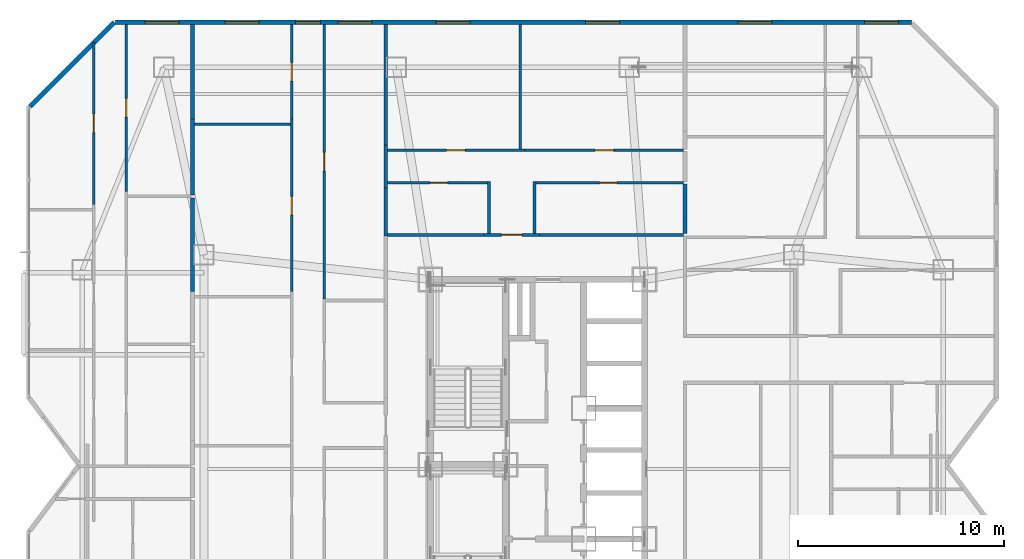
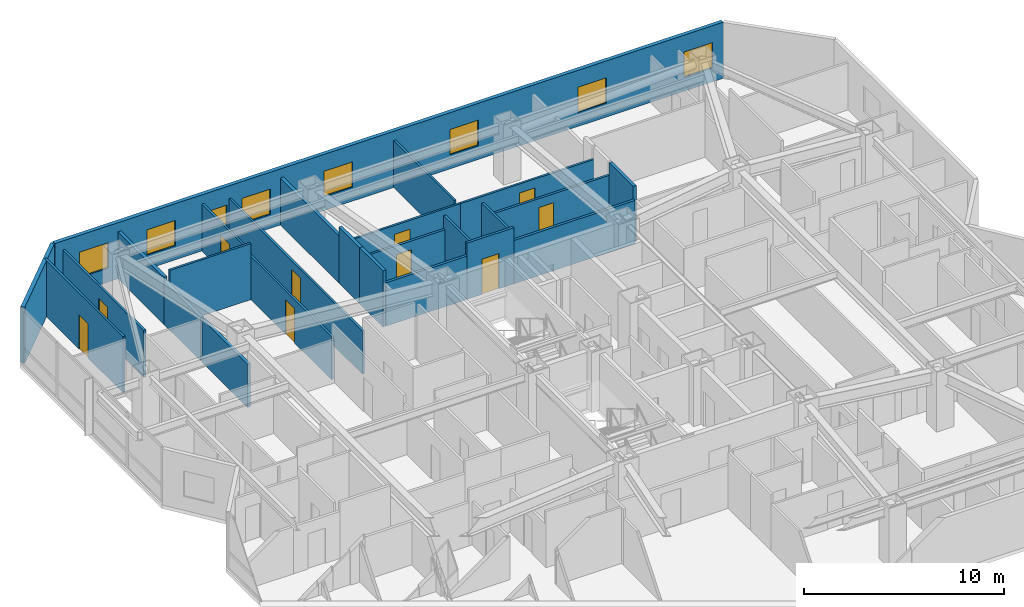
# One storey, part 19 of 21: 25 walls, 10 doors, 8 windows, 18 openings.
"""IFC4 building model written with IfcOpenShell, lengths in metres."""

from ifc_helpers import new_model, si_unit, direction, frame, frame_2d, origin, place, context, subcontext, project, spatial, rectangle, extrude, material, layer, layer_set, type_object, element, fill, save


model = new_model("IFC4")

# Units and contexts
model_context = context("Model", 3, precision=1e-05, world=origin(), true_north=direction((0.0, 1.0)))
body_context = subcontext(model_context, "Body", "Model", "MODEL_VIEW")
ifc_project = project(units=[si_unit("LENGTHUNIT", "METRE"), si_unit("AREAUNIT", "SQUARE_METRE"), si_unit("VOLUMEUNIT", "CUBIC_METRE"), si_unit("PLANEANGLEUNIT", "RADIAN"), si_unit("MASSUNIT", "GRAM", prefix="KILO")], contexts=[model_context])

# Site, building, storey
site_placement = place(None, origin())
site = spatial("IfcSite", under=ifc_project, at=site_placement, CompositionType="ELEMENT")
building_placement = place(site_placement, origin())
building = spatial("IfcBuilding", under=site, at=building_placement, Name="Khamvora Tower", CompositionType="ELEMENT")
storey_placement = place(building_placement, frame((0.0, 0.0, 98.25)))
storey = spatial("IfcBuildingStorey", under=building, at=storey_placement, Name="L24", CompositionType="ELEMENT", Elevation=98.25)

# Wall, opening, door
ifc_material_1 = material(Name="Fire-Rated Drywall and Steel Stud", Category="steel")
ifc_layer_1 = layer(ifc_material_1, 0.14990234375)
ifc_layer_set_1 = layer_set([ifc_layer_1], Name="Fire-Rated Drywall and Steel Stud")
wall_type_1 = type_object("IfcWallType", Name="WAL-CORR-150", PredefinedType="STANDARD", material=ifc_layer_set_1)
wall_1_placement = place(storey_placement, frame((31.60107421875, 39.1650390625, 0.0), z_axis=(0.0, 0.0, 1.0), x_axis=(1.0, 0.0, 0.0)))
wall_1 = element("IfcWall", 1, at=wall_1_placement, inside=storey, type_object=wall_type_1, Name="L24 interior partition wall 028", PredefinedType="STANDARD", context=body_context, shape_type="SweptSolid", body=[
    extrude(rectangle(XDim=2.697998046875, YDim=0.14990234375, at=frame_2d((1.34912109375, 0.0))), origin(), (0.0, 0.0, 1.0), 3.429931640625),
])
opening_1_placement = place(wall_1_placement, frame((0.84912109375, 0.0, 0.0)))
opening_1 = element("IfcOpeningElement", 2, at=opening_1_placement, cuts=wall_1, Name="Opening D-U1", PredefinedType="OPENING", context=body_context, shape_type="SweptSolid", body=[
    extrude(rectangle(XDim=1.0, YDim=2.14990234375, at=frame_2d((0.5, 1.074951171875))), frame((0.0, 0.0849609375, 0.0), z_axis=(0.0, -1.0, 0.0), x_axis=(1.0, 0.0, 0.0)), (0.0, 0.0, 1.0), 0.169921875),
])
ifc_material_2 = material(Name="Powder-Coated Steel and Hardwood Leaf", Category="steel")
door_type_1 = type_object("IfcDoorType", Name="DOR-UNIT-1000", OperationType="NOTDEFINED", PredefinedType="DOOR", material=ifc_material_2)
door_1_placement = place(opening_1_placement, origin())
door_1 = element("IfcDoor", 3, at=door_1_placement, inside=storey, type_object=door_type_1, Name="L24 interior door COR-24NAH", OperationType="SINGLE_SWING_LEFT", OverallHeight=2.14990234375, OverallWidth=1.0, PredefinedType="DOOR", context=body_context, shape_type="SweptSolid", body=[
    extrude(rectangle(XDim=1.0, YDim=2.14990234375, at=frame_2d((0.5, 1.074951171875))), frame((0.0, 0.02490234375, 0.0), z_axis=(0.0, -1.0, 0.0), x_axis=(1.0, 0.0, 0.0)), (0.0, 0.0, 1.0), 0.050048828125),
])
fill(opening_1, door_1)

# Walls
wall_2_placement = place(storey_placement, frame((26.89990234375, 39.1650390625, 0.0), z_axis=(0.0, 0.0, 1.0), x_axis=(1.0, 0.0, 0.0)))
element("IfcWall", 4, at=wall_2_placement, inside=storey, type_object=wall_type_1, Name="L24 interior partition wall 029", PredefinedType="STANDARD", context=body_context, shape_type="SweptSolid", body=[
    extrude(rectangle(XDim=4.701171875, YDim=0.14990234375, at=frame_2d((2.3505859375, 0.0))), origin(), (0.0, 0.0, 1.0), 2.64697265625),
])
wall_3_placement = place(storey_placement, frame((34.299072265625, 39.1650390625, 0.0), z_axis=(0.0, 0.0, 1.0), x_axis=(1.0, 0.0, 0.0)))
element("IfcWall", 5, at=wall_3_placement, inside=storey, type_object=wall_type_1, Name="L24 interior partition wall 030", PredefinedType="STANDARD", context=body_context, shape_type="SweptSolid", body=[
    extrude(rectangle(XDim=7.0009765625, YDim=0.14990234375, at=frame_2d((3.50048828125, 0.0))), origin(), (0.0, 0.0, 1.0), 2.64697265625),
])
ifc_material_3 = material(Name="Acoustic Double-Stud Fire Wall", Category="gypsum")
ifc_layer_2 = layer(ifc_material_3, 0.179931640625)
ifc_layer_set_2 = layer_set([ifc_layer_2], Name="Acoustic Double-Stud Fire Wall")
wall_type_2 = type_object("IfcWallType", Name="WAL-CORR-180", PredefinedType="STANDARD", material=ifc_layer_set_2)
wall_4_placement = place(storey_placement, frame((17.449951171875, 40.966064453125, 0.0), z_axis=(0.0, 0.0, 1.0), x_axis=(0.0, -1.0, 0.0)))
element("IfcWall", 6, at=wall_4_placement, inside=storey, type_object=wall_type_2, Name="L24 interior partition wall 090", PredefinedType="STANDARD", context=body_context, shape_type="SweptSolid", body=[
    extrude(rectangle(XDim=4.55712890625, YDim=0.179931640625, at=frame_2d((2.278564453125, 0.0))), origin(), (0.0, 0.0, 1.0), 2.64697265625),
])
wall_5_placement = place(storey_placement, frame((17.449951171875, 44.783935546875, 0.0), z_axis=(0.0, 0.0, 1.0), x_axis=(0.0, -1.0, 0.0)))
element("IfcWall", 7, at=wall_5_placement, inside=storey, type_object=wall_type_2, Name="L24 interior partition wall 091", PredefinedType="STANDARD", context=body_context, shape_type="SweptSolid", body=[
    extrude(rectangle(XDim=3.68798828125, YDim=0.179931640625, at=frame_2d((1.843994140625, 0.0))), origin(), (0.0, 0.0, 1.0), 2.64697265625),
])
wall_6_placement = place(storey_placement, frame((17.449951171875, 49.387939453125, 0.0), z_axis=(0.0, 0.0, 1.0), x_axis=(0.0, -1.0, 0.0)))
element("IfcWall", 8, at=wall_6_placement, inside=storey, type_object=wall_type_2, Name="L24 interior partition wall 092", PredefinedType="STANDARD", context=body_context, shape_type="SweptSolid", body=[
    extrude(rectangle(XDim=4.60400390625, YDim=0.179931640625, at=frame_2d((2.302001953125, 0.0))), origin(), (0.0, 0.0, 1.0), 2.8759765625),
])
wall_7_placement = place(storey_placement, frame((26.8349609375, 43.52392578125, 0.0), z_axis=(0.0, 0.0, 1.0), x_axis=(0.0, -1.0, 0.0)))
element("IfcWall", 9, at=wall_7_placement, inside=storey, type_object=wall_type_2, Name="L24 interior partition wall 095", PredefinedType="STANDARD", context=body_context, shape_type="SweptSolid", body=[
    extrude(rectangle(XDim=2.077880859375, YDim=0.179931640625, at=frame_2d((1.0390625, 0.0))), origin(), (0.0, 0.0, 1.0), 3.429931640625),
])
wall_8_placement = place(storey_placement, frame((26.8349609375, 41.446044921875, 0.0), z_axis=(0.0, 0.0, 1.0), x_axis=(0.0, -1.0, 0.0)))
element("IfcWall", 10, at=wall_8_placement, inside=storey, type_object=wall_type_2, Name="L24 interior partition wall 096", PredefinedType="STANDARD", context=body_context, shape_type="SweptSolid", body=[
    extrude(rectangle(XDim=2.345947265625, YDim=0.179931640625, at=frame_2d((1.1728515625, 0.0))), origin(), (0.0, 0.0, 1.0), 3.429931640625),
])
wall_9_placement = place(storey_placement, frame((26.8349609375, 49.387939453125, 0.0), z_axis=(0.0, 0.0, 1.0), x_axis=(0.0, -1.0, 0.0)))
element("IfcWall", 11, at=wall_9_placement, inside=storey, type_object=wall_type_2, Name="L24 interior partition wall 097", PredefinedType="STANDARD", context=body_context, shape_type="SweptSolid", body=[
    extrude(rectangle(XDim=5.864013671875, YDim=0.179931640625, at=frame_2d((2.93212890625, 0.0))), origin(), (0.0, 0.0, 1.0), 2.8759765625),
])
wall_10_placement = place(storey_placement, frame((41.364990234375, 41.6298828125, 0.0), z_axis=(0.0, 0.0, 1.0), x_axis=(0.0, -1.0, 0.0)))
element("IfcWall", 12, at=wall_10_placement, inside=storey, type_object=wall_type_2, Name="L24 interior partition wall 125", PredefinedType="STANDARD", context=body_context, shape_type="SweptSolid", body=[
    extrude(rectangle(XDim=2.39990234375, YDim=0.179931640625, at=frame_2d((1.199951171875, 0.0))), origin(), (0.0, 0.0, 1.0), 3.429931640625),
])
ifc_material_4 = material(Name="Precast concrete C40/50", Category="concrete")
ifc_layer_3 = layer(ifc_material_4, 0.219970703125)
ifc_layer_set_3 = layer_set([ifc_layer_3], Name="Precast concrete C40/50")
wall_type_3 = type_object("IfcWallType", Name="WAL-EXT-220", PredefinedType="STANDARD", material=ifc_layer_set_3)
wall_11_placement = place(storey_placement, frame((9.55810546875, 45.402099609375, 0.0), z_axis=(0.0, 0.0, 1.0), x_axis=(0.707106781187, 0.707106781187, 0.0)))
element("IfcWall", 13, at=wall_11_placement, inside=storey, type_object=wall_type_3, Name="L24 exterior facade wall 06.1", PredefinedType="STANDARD", context=body_context, shape_type="SweptSolid", body=[
    extrude(rectangle(XDim=5.78125, YDim=0.219970703125, at=frame_2d((2.890625, 0.0))), origin(), (0.0, 0.0, 1.0), 3.429931640625),
])

# Wall, openings, windows
wall_12_placement = place(storey_placement, frame((13.715087890625, 49.489990234375, 0.0), z_axis=(0.0, 0.0, 1.0), x_axis=(1.0, 0.0, 0.0)))
wall_12 = element("IfcWall", 14, at=wall_12_placement, inside=storey, type_object=wall_type_3, Name="L24 exterior facade wall 07.1", PredefinedType="STANDARD", context=body_context, shape_type="SweptSolid", body=[
    extrude(rectangle(XDim=38.638916015625, YDim=0.219970703125, at=frame_2d((19.3193359375, 0.0))), origin(), (0.0, 0.0, 1.0), 3.429931640625),
])
opening_2_placement = place(wall_12_placement, frame((1.43505859375, 0.0, 0.85009765625)))
opening_2 = element("IfcOpeningElement", 15, at=opening_2_placement, cuts=wall_12, Name="Opening WN-06", PredefinedType="OPENING", context=body_context, shape_type="SweptSolid", body=[
    extrude(rectangle(XDim=1.64990234375, YDim=1.550048828125, at=frame_2d((0.824951171875, 0.77490234375))), frame((0.0, 0.119873046875, 0.0), z_axis=(0.0, -1.0, 0.0), x_axis=(1.0, 0.0, 0.0)), (0.0, 0.0, 1.0), 0.239990234375),
])
opening_3_placement = place(wall_12_placement, frame((10.802001953125, 0.0, 0.85009765625)))
opening_3 = element("IfcOpeningElement", 16, at=opening_3_placement, cuts=wall_12, Name="Opening WN-06", PredefinedType="OPENING", context=body_context, shape_type="SweptSolid", body=[
    extrude(rectangle(XDim=1.64990234375, YDim=1.550048828125, at=frame_2d((0.824951171875, 0.77490234375))), frame((0.0, 0.119873046875, 0.0), z_axis=(0.0, -1.0, 0.0), x_axis=(1.0, 0.0, 0.0)), (0.0, 0.0, 1.0), 0.239990234375),
])
opening_4_placement = place(wall_12_placement, frame((8.743896484375, 0.0, 0.800048828125)))
opening_4 = element("IfcOpeningElement", 17, at=opening_4_placement, cuts=wall_12, Name="Opening WN-03", PredefinedType="OPENING", context=body_context, shape_type="SweptSolid", body=[
    extrude(rectangle(XDim=1.199951171875, YDim=1.5, at=frame_2d((0.60009765625, 0.75))), frame((0.0, 0.119873046875, 0.0), z_axis=(0.0, -1.0, 0.0), x_axis=(1.0, 0.0, 0.0)), (0.0, 0.0, 1.0), 0.239990234375),
])
opening_5_placement = place(wall_12_placement, frame((5.319091796875, 0.0, 0.85009765625)))
opening_5 = element("IfcOpeningElement", 18, at=opening_5_placement, cuts=wall_12, Name="Opening WN-06", PredefinedType="OPENING", context=body_context, shape_type="SweptSolid", body=[
    extrude(rectangle(XDim=1.64990234375, YDim=1.550048828125, at=frame_2d((0.824951171875, 0.77490234375))), frame((0.0, 0.119873046875, 0.0), z_axis=(0.0, -1.0, 0.0), x_axis=(1.0, 0.0, 0.0)), (0.0, 0.0, 1.0), 0.239990234375),
])
opening_6_placement = place(wall_12_placement, frame((15.555908203125, 0.0, 0.85009765625)))
opening_6 = element("IfcOpeningElement", 19, at=opening_6_placement, cuts=wall_12, Name="Opening WN-06", PredefinedType="OPENING", context=body_context, shape_type="SweptSolid", body=[
    extrude(rectangle(XDim=1.64990234375, YDim=1.550048828125, at=frame_2d((0.824951171875, 0.77490234375))), frame((0.0, 0.119873046875, 0.0), z_axis=(0.0, -1.0, 0.0), x_axis=(1.0, 0.0, 0.0)), (0.0, 0.0, 1.0), 0.239990234375),
])
opening_7_placement = place(wall_12_placement, frame((22.821044921875, 0.0, 0.85009765625)))
opening_7 = element("IfcOpeningElement", 20, at=opening_7_placement, cuts=wall_12, Name="Opening WN-06", PredefinedType="OPENING", context=body_context, shape_type="SweptSolid", body=[
    extrude(rectangle(XDim=1.64990234375, YDim=1.550048828125, at=frame_2d((0.824951171875, 0.77490234375))), frame((0.0, 0.119873046875, 0.0), z_axis=(0.0, -1.0, 0.0), x_axis=(1.0, 0.0, 0.0)), (0.0, 0.0, 1.0), 0.239990234375),
])
opening_8_placement = place(wall_12_placement, frame((30.22998046875, 0.0, 0.85009765625)))
opening_8 = element("IfcOpeningElement", 21, at=opening_8_placement, cuts=wall_12, Name="Opening WN-06", PredefinedType="OPENING", context=body_context, shape_type="SweptSolid", body=[
    extrude(rectangle(XDim=1.64990234375, YDim=1.550048828125, at=frame_2d((0.824951171875, 0.77490234375))), frame((0.0, 0.119873046875, 0.0), z_axis=(0.0, -1.0, 0.0), x_axis=(1.0, 0.0, 0.0)), (0.0, 0.0, 1.0), 0.239990234375),
])
opening_9_placement = place(wall_12_placement, frame((36.366943359375, 0.0, 0.85009765625)))
opening_9 = element("IfcOpeningElement", 22, at=opening_9_placement, cuts=wall_12, Name="Opening WN-06", PredefinedType="OPENING", context=body_context, shape_type="SweptSolid", body=[
    extrude(rectangle(XDim=1.64990234375, YDim=1.550048828125, at=frame_2d((0.824951171875, 0.77490234375))), frame((0.0, 0.119873046875, 0.0), z_axis=(0.0, -1.0, 0.0), x_axis=(1.0, 0.0, 0.0)), (0.0, 0.0, 1.0), 0.239990234375),
])
ifc_material_5 = material(Name="Low-E Laminated Double Glazing", Category="glass")
window_type_1 = type_object("IfcWindowType", Name="WIN-VIS-1200x1500", PartitioningType="SINGLE_PANEL", PredefinedType="WINDOW", material=ifc_material_5)
window_1_placement = place(opening_4_placement, origin())
window_1 = element("IfcWindow", 23, at=window_1_placement, inside=storey, type_object=window_type_1, Name="L24 vision window 07.1.03", OverallHeight=1.5, OverallWidth=1.199951171875, PartitioningType="SINGLE_PANEL", PredefinedType="WINDOW", context=body_context, shape_type="SweptSolid", body=[
    extrude(rectangle(XDim=1.199951171875, YDim=1.5, at=frame_2d((0.60009765625, 0.75))), frame((0.0, 0.030029296875, 0.0), z_axis=(0.0, -1.0, 0.0), x_axis=(1.0, 0.0, 0.0)), (0.0, 0.0, 1.0), 0.06005859375),
])
fill(opening_4, window_1)
window_type_2 = type_object("IfcWindowType", Name="WIN-VIS-1650x1550", PartitioningType="SINGLE_PANEL", PredefinedType="WINDOW", material=ifc_material_5)
window_2_placement = place(opening_2_placement, origin())
window_2 = element("IfcWindow", 24, at=window_2_placement, inside=storey, type_object=window_type_2, Name="L24 vision window 07.1.01", OverallHeight=1.550048828125, OverallWidth=1.64990234375, PartitioningType="SINGLE_PANEL", PredefinedType="WINDOW", context=body_context, shape_type="SweptSolid", body=[
    extrude(rectangle(XDim=1.64990234375, YDim=1.550048828125, at=frame_2d((0.824951171875, 0.77490234375))), frame((0.0, 0.030029296875, 0.0), z_axis=(0.0, -1.0, 0.0), x_axis=(1.0, 0.0, 0.0)), (0.0, 0.0, 1.0), 0.06005859375),
])
fill(opening_2, window_2)
window_3_placement = place(opening_3_placement, origin())
window_3 = element("IfcWindow", 25, at=window_3_placement, inside=storey, type_object=window_type_2, Name="L24 vision window 07.1.02", OverallHeight=1.550048828125, OverallWidth=1.64990234375, PartitioningType="SINGLE_PANEL", PredefinedType="WINDOW", context=body_context, shape_type="SweptSolid", body=[
    extrude(rectangle(XDim=1.64990234375, YDim=1.550048828125, at=frame_2d((0.824951171875, 0.77490234375))), frame((0.0, 0.030029296875, 0.0), z_axis=(0.0, -1.0, 0.0), x_axis=(1.0, 0.0, 0.0)), (0.0, 0.0, 1.0), 0.06005859375),
])
fill(opening_3, window_3)
window_4_placement = place(opening_5_placement, origin())
window_4 = element("IfcWindow", 26, at=window_4_placement, inside=storey, type_object=window_type_2, Name="L24 vision window 07.1.04", OverallHeight=1.550048828125, OverallWidth=1.64990234375, PartitioningType="SINGLE_PANEL", PredefinedType="WINDOW", context=body_context, shape_type="SweptSolid", body=[
    extrude(rectangle(XDim=1.64990234375, YDim=1.550048828125, at=frame_2d((0.824951171875, 0.77490234375))), frame((0.0, 0.030029296875, 0.0), z_axis=(0.0, -1.0, 0.0), x_axis=(1.0, 0.0, 0.0)), (0.0, 0.0, 1.0), 0.06005859375),
])
fill(opening_5, window_4)
window_5_placement = place(opening_6_placement, origin())
window_5 = element("IfcWindow", 27, at=window_5_placement, inside=storey, type_object=window_type_2, Name="L24 vision window 07.1.05", OverallHeight=1.550048828125, OverallWidth=1.64990234375, PartitioningType="SINGLE_PANEL", PredefinedType="WINDOW", context=body_context, shape_type="SweptSolid", body=[
    extrude(rectangle(XDim=1.64990234375, YDim=1.550048828125, at=frame_2d((0.824951171875, 0.77490234375))), frame((0.0, 0.030029296875, 0.0), z_axis=(0.0, -1.0, 0.0), x_axis=(1.0, 0.0, 0.0)), (0.0, 0.0, 1.0), 0.06005859375),
])
fill(opening_6, window_5)
window_6_placement = place(opening_7_placement, origin())
window_6 = element("IfcWindow", 28, at=window_6_placement, inside=storey, type_object=window_type_2, Name="L24 vision window 07.1.06", OverallHeight=1.550048828125, OverallWidth=1.64990234375, PartitioningType="SINGLE_PANEL", PredefinedType="WINDOW", context=body_context, shape_type="SweptSolid", body=[
    extrude(rectangle(XDim=1.64990234375, YDim=1.550048828125, at=frame_2d((0.824951171875, 0.77490234375))), frame((0.0, 0.030029296875, 0.0), z_axis=(0.0, -1.0, 0.0), x_axis=(1.0, 0.0, 0.0)), (0.0, 0.0, 1.0), 0.06005859375),
])
fill(opening_7, window_6)
window_7_placement = place(opening_8_placement, origin())
window_7 = element("IfcWindow", 29, at=window_7_placement, inside=storey, type_object=window_type_2, Name="L24 vision window 07.1.07", OverallHeight=1.550048828125, OverallWidth=1.64990234375, PartitioningType="SINGLE_PANEL", PredefinedType="WINDOW", context=body_context, shape_type="SweptSolid", body=[
    extrude(rectangle(XDim=1.64990234375, YDim=1.550048828125, at=frame_2d((0.824951171875, 0.77490234375))), frame((0.0, 0.030029296875, 0.0), z_axis=(0.0, -1.0, 0.0), x_axis=(1.0, 0.0, 0.0)), (0.0, 0.0, 1.0), 0.06005859375),
])
fill(opening_8, window_7)
window_8_placement = place(opening_9_placement, origin())
window_8 = element("IfcWindow", 30, at=window_8_placement, inside=storey, type_object=window_type_2, Name="L24 vision window 07.1.08", OverallHeight=1.550048828125, OverallWidth=1.64990234375, PartitioningType="SINGLE_PANEL", PredefinedType="WINDOW", context=body_context, shape_type="SweptSolid", body=[
    extrude(rectangle(XDim=1.64990234375, YDim=1.550048828125, at=frame_2d((0.824951171875, 0.77490234375))), frame((0.0, 0.030029296875, 0.0), z_axis=(0.0, -1.0, 0.0), x_axis=(1.0, 0.0, 0.0)), (0.0, 0.0, 1.0), 0.06005859375),
])
fill(opening_9, window_8)

# Wall, opening, door
ifc_material_6 = material(Name="Gypsum Plasterboard Partition", Category="gypsum")
ifc_layer_4 = layer(ifc_material_6, 0.1201171875)
ifc_layer_set_4 = layer_set([ifc_layer_4], Name="Gypsum Plasterboard Partition")
wall_type_4 = type_object("IfcWallType", Name="WAL-PART-120", PredefinedType="PARTITIONING", material=ifc_layer_set_4)
wall_13_placement = place(storey_placement, frame((12.662109375, 40.64404296875, 0.0), z_axis=(0.0, 0.0, 1.0), x_axis=(0.0, 1.0, 0.0)))
wall_13 = element("IfcWall", 31, at=wall_13_placement, inside=storey, type_object=wall_type_4, Name="L24 interior partition wall 076", PredefinedType="PARTITIONING", context=body_context, shape_type="SweptSolid", body=[
    extrude(rectangle(XDim=7.873046875, YDim=0.1201171875, at=frame_2d((3.9365234375, 0.0))), origin(), (0.0, 0.0, 1.0), 3.429931640625),
])
opening_10_placement = place(wall_13_placement, frame((3.486083984375, 0.0, 0.0)))
opening_10 = element("IfcOpeningElement", 32, at=opening_10_placement, cuts=wall_13, Name="Opening D-RM1", PredefinedType="OPENING", context=body_context, shape_type="SweptSolid", body=[
    extrude(rectangle(XDim=0.89990234375, YDim=2.10009765625, at=frame_2d((0.449951171875, 1.050048828125))), frame((0.0, 0.070068359375, 0.0), z_axis=(0.0, -1.0, 0.0), x_axis=(1.0, 0.0, 0.0)), (0.0, 0.0, 1.0), 0.14013671875),
])
door_type_2 = type_object("IfcDoorType", Name="DOR-ROOM-900", OperationType="NOTDEFINED", PredefinedType="DOOR", material=ifc_material_2)
door_2_placement = place(opening_10_placement, origin())
door_2 = element("IfcDoor", 33, at=door_2_placement, inside=storey, type_object=door_type_2, Name="L24 interior door 24WC1H-24WC1R3", OperationType="SINGLE_SWING_LEFT", OverallHeight=2.10009765625, OverallWidth=0.89990234375, PredefinedType="DOOR", context=body_context, shape_type="SweptSolid", body=[
    extrude(rectangle(XDim=0.89990234375, YDim=2.10009765625, at=frame_2d((0.449951171875, 1.050048828125))), frame((0.0, 0.02490234375, 0.0), z_axis=(0.0, -1.0, 0.0), x_axis=(1.0, 0.0, 0.0)), (0.0, 0.0, 1.0), 0.050048828125),
])
fill(opening_10, door_2)

wall_14_placement = place(storey_placement, frame((14.23193359375, 49.387939453125, 0.0), z_axis=(0.0, 0.0, 1.0), x_axis=(0.0, -1.0, 0.0)))
wall_14 = element("IfcWall", 34, at=wall_14_placement, inside=storey, type_object=wall_type_4, Name="L24 interior partition wall 080", PredefinedType="PARTITIONING", context=body_context, shape_type="SweptSolid", body=[
    extrude(rectangle(XDim=8.10791015625, YDim=0.1201171875, at=frame_2d((4.053955078125, 0.0))), origin(), (0.0, 0.0, 1.0), 2.8759765625),
])
opening_11_placement = place(wall_14_placement, frame((3.60400390625, 0.0, 0.0)))
opening_11 = element("IfcOpeningElement", 35, at=opening_11_placement, cuts=wall_14, Name="Opening D-RM1", PredefinedType="OPENING", context=body_context, shape_type="SweptSolid", body=[
    extrude(rectangle(XDim=0.89990234375, YDim=2.10009765625, at=frame_2d((0.449951171875, 1.050048828125))), frame((0.0, 0.070068359375, 0.0), z_axis=(0.0, -1.0, 0.0), x_axis=(1.0, 0.0, 0.0)), (0.0, 0.0, 1.0), 0.14013671875),
])
door_3_placement = place(opening_11_placement, origin())
door_3 = element("IfcDoor", 36, at=door_3_placement, inside=storey, type_object=door_type_2, Name="L24 interior door 24WC1H-24WC1R6", OperationType="SINGLE_SWING_RIGHT", OverallHeight=2.10009765625, OverallWidth=0.89990234375, PredefinedType="DOOR", context=body_context, shape_type="SweptSolid", body=[
    extrude(rectangle(XDim=0.89990234375, YDim=2.10009765625, at=frame_2d((0.449951171875, 1.050048828125))), frame((0.0, 0.02490234375, 0.0), z_axis=(0.0, -1.0, 0.0), x_axis=(1.0, 0.0, 0.0)), (0.0, 0.0, 1.0), 0.050048828125),
])
fill(opening_11, door_3)

wall_15_placement = place(storey_placement, frame((23.84912109375, 36.0458984375, 0.0), z_axis=(0.0, 0.0, 1.0), x_axis=(0.0, 1.0, 0.0)))
wall_15 = element("IfcWall", 37, at=wall_15_placement, inside=storey, type_object=wall_type_4, Name="L24 interior partition wall 093", PredefinedType="PARTITIONING", context=body_context, shape_type="SweptSolid", body=[
    extrude(rectangle(XDim=13.342041015625, YDim=0.1201171875, at=frame_2d((6.6708984375, 0.0))), origin(), (0.0, 0.0, 1.0), 2.64697265625),
])
opening_12_placement = place(wall_15_placement, frame((6.220947265625, 0.0, 0.0)))
opening_12 = element("IfcOpeningElement", 38, at=opening_12_placement, cuts=wall_15, Name="Opening D-RM1", PredefinedType="OPENING", context=body_context, shape_type="SweptSolid", body=[
    extrude(rectangle(XDim=0.89990234375, YDim=2.10009765625, at=frame_2d((0.449951171875, 1.050048828125))), frame((0.0, 0.070068359375, 0.0), z_axis=(0.0, -1.0, 0.0), x_axis=(1.0, 0.0, 0.0)), (0.0, 0.0, 1.0), 0.14013671875),
])
door_4_placement = place(opening_12_placement, origin())
door_4 = element("IfcDoor", 39, at=door_4_placement, inside=storey, type_object=door_type_2, Name="L24 interior door 24WC2W2-24WC2H", OperationType="SINGLE_SWING_LEFT", OverallHeight=2.10009765625, OverallWidth=0.89990234375, PredefinedType="DOOR", context=body_context, shape_type="SweptSolid", body=[
    extrude(rectangle(XDim=0.89990234375, YDim=2.10009765625, at=frame_2d((0.449951171875, 1.050048828125))), frame((0.0, 0.02490234375, 0.0), z_axis=(0.0, -1.0, 0.0), x_axis=(1.0, 0.0, 0.0)), (0.0, 0.0, 1.0), 0.050048828125),
])
fill(opening_12, door_4)

wall_16_placement = place(storey_placement, frame((22.26904296875, 36.408935546875, 0.0), z_axis=(0.0, 0.0, 1.0), x_axis=(0.0, 1.0, 0.0)))
wall_16 = element("IfcWall", 40, at=wall_16_placement, inside=storey, type_object=wall_type_4, Name="L24 interior partition wall 104", PredefinedType="PARTITIONING", context=body_context, shape_type="SweptSolid", body=[
    extrude(rectangle(XDim=8.375, YDim=0.1201171875, at=frame_2d((4.1875, 0.0))), origin(), (0.0, 0.0, 1.0), 2.64697265625),
])
opening_13_placement = place(wall_16_placement, frame((3.716064453125, 0.0, 0.0)))
opening_13 = element("IfcOpeningElement", 41, at=opening_13_placement, cuts=wall_16, Name="Opening D-RM1", PredefinedType="OPENING", context=body_context, shape_type="SweptSolid", body=[
    extrude(rectangle(XDim=0.89990234375, YDim=2.10009765625, at=frame_2d((0.449951171875, 1.050048828125))), frame((0.0, 0.070068359375, 0.0), z_axis=(0.0, -1.0, 0.0), x_axis=(1.0, 0.0, 0.0)), (0.0, 0.0, 1.0), 0.14013671875),
])
door_5_placement = place(opening_13_placement, origin())
door_5 = element("IfcDoor", 42, at=door_5_placement, inside=storey, type_object=door_type_2, Name="L24 interior door 24WC2H-24WC2R3", OperationType="SINGLE_SWING_RIGHT", OverallHeight=2.10009765625, OverallWidth=0.89990234375, PredefinedType="DOOR", context=body_context, shape_type="SweptSolid", body=[
    extrude(rectangle(XDim=0.89990234375, YDim=2.10009765625, at=frame_2d((0.449951171875, 1.050048828125))), frame((0.0, 0.02490234375, 0.0), z_axis=(0.0, -1.0, 0.0), x_axis=(1.0, 0.0, 0.0)), (0.0, 0.0, 1.0), 0.050048828125),
])
fill(opening_13, door_5)

wall_17_placement = place(storey_placement, frame((22.26904296875, 44.783935546875, 0.0), z_axis=(0.0, 0.0, 1.0), x_axis=(0.0, 1.0, 0.0)))
wall_17 = element("IfcWall", 43, at=wall_17_placement, inside=storey, type_object=wall_type_4, Name="L24 interior partition wall 105", PredefinedType="PARTITIONING", context=body_context, shape_type="SweptSolid", body=[
    extrude(rectangle(XDim=4.60400390625, YDim=0.1201171875, at=frame_2d((2.302001953125, 0.0))), origin(), (0.0, 0.0, 1.0), 2.8759765625),
])
opening_14_placement = place(wall_17_placement, frame((1.85205078125, 0.0, 0.0)))
opening_14 = element("IfcOpeningElement", 44, at=opening_14_placement, cuts=wall_17, Name="Opening D-RM1", PredefinedType="OPENING", context=body_context, shape_type="SweptSolid", body=[
    extrude(rectangle(XDim=0.89990234375, YDim=2.10009765625, at=frame_2d((0.449951171875, 1.050048828125))), frame((0.0, 0.070068359375, 0.0), z_axis=(0.0, -1.0, 0.0), x_axis=(1.0, 0.0, 0.0)), (0.0, 0.0, 1.0), 0.14013671875),
])
door_6_placement = place(opening_14_placement, origin())
door_6 = element("IfcDoor", 45, at=door_6_placement, inside=storey, type_object=door_type_2, Name="L24 interior door 24WC2H-24WC2R4", OperationType="SINGLE_SWING_LEFT", OverallHeight=2.10009765625, OverallWidth=0.89990234375, PredefinedType="DOOR", context=body_context, shape_type="SweptSolid", body=[
    extrude(rectangle(XDim=0.89990234375, YDim=2.10009765625, at=frame_2d((0.449951171875, 1.050048828125))), frame((0.0, 0.02490234375, 0.0), z_axis=(0.0, -1.0, 0.0), x_axis=(1.0, 0.0, 0.0)), (0.0, 0.0, 1.0), 0.050048828125),
])
fill(opening_14, door_6)

# Wall
wall_18_placement = place(storey_placement, frame((17.531982421875, 44.534912109375, 0.0), z_axis=(0.0, 0.0, 1.0), x_axis=(1.0, 0.0, 0.0)))
element("IfcWall", 46, at=wall_18_placement, inside=storey, type_object=wall_type_4, Name="L24 interior partition wall 108", PredefinedType="PARTITIONING", context=body_context, shape_type="SweptSolid", body=[
    extrude(rectangle(XDim=4.68310546875, YDim=0.1201171875, at=frame_2d((2.341552734375, 0.0))), origin(), (0.0, 0.0, 1.0), 3.429931640625),
])

# Wall, opening, door
wall_19_placement = place(storey_placement, frame((26.9169921875, 43.27490234375, 0.0), z_axis=(0.0, 0.0, 1.0), x_axis=(1.0, 0.0, 0.0)))
wall_19 = element("IfcWall", 47, at=wall_19_placement, inside=storey, type_object=wall_type_4, Name="L24 interior partition wall 122", PredefinedType="PARTITIONING", context=body_context, shape_type="SweptSolid", body=[
    extrude(rectangle(XDim=6.68994140625, YDim=0.1201171875, at=frame_2d((3.344970703125, 0.0))), origin(), (0.0, 0.0, 1.0), 2.64697265625),
])
opening_15_placement = place(wall_19_placement, frame((2.873046875, 0.0, 0.0)))
opening_15 = element("IfcOpeningElement", 48, at=opening_15_placement, cuts=wall_19, Name="Opening D-RM1", PredefinedType="OPENING", context=body_context, shape_type="SweptSolid", body=[
    extrude(rectangle(XDim=0.89990234375, YDim=2.10009765625, at=frame_2d((0.449951171875, 1.050048828125))), frame((0.0, 0.070068359375, 0.0), z_axis=(0.0, -1.0, 0.0), x_axis=(1.0, 0.0, 0.0)), (0.0, 0.0, 1.0), 0.14013671875),
])
door_7_placement = place(opening_15_placement, origin())
door_7 = element("IfcDoor", 49, at=door_7_placement, inside=storey, type_object=door_type_2, Name="L24 interior door 24NAH-24NAR1", OperationType="SINGLE_SWING_LEFT", OverallHeight=2.10009765625, OverallWidth=0.89990234375, PredefinedType="DOOR", context=body_context, shape_type="SweptSolid", body=[
    extrude(rectangle(XDim=0.89990234375, YDim=2.10009765625, at=frame_2d((0.449951171875, 1.050048828125))), frame((0.0, 0.02490234375, 0.0), z_axis=(0.0, -1.0, 0.0), x_axis=(1.0, 0.0, 0.0)), (0.0, 0.0, 1.0), 0.050048828125),
])
fill(opening_15, door_7)

wall_20_placement = place(storey_placement, frame((33.60693359375, 43.27490234375, 0.0), z_axis=(0.0, 0.0, 1.0), x_axis=(1.0, 0.0, 0.0)))
wall_20 = element("IfcWall", 50, at=wall_20_placement, inside=storey, type_object=wall_type_4, Name="L24 interior partition wall 123", PredefinedType="PARTITIONING", context=body_context, shape_type="SweptSolid", body=[
    extrude(rectangle(XDim=7.693115234375, YDim=0.1201171875, at=frame_2d((3.8466796875, 0.0))), origin(), (0.0, 0.0, 1.0), 2.64697265625),
])
opening_16_placement = place(wall_20_placement, frame((3.39599609375, 0.0, 0.0)))
opening_16 = element("IfcOpeningElement", 51, at=opening_16_placement, cuts=wall_20, Name="Opening D-RM1", PredefinedType="OPENING", context=body_context, shape_type="SweptSolid", body=[
    extrude(rectangle(XDim=0.89990234375, YDim=2.10009765625, at=frame_2d((0.449951171875, 1.050048828125))), frame((0.0, 0.070068359375, 0.0), z_axis=(0.0, -1.0, 0.0), x_axis=(1.0, 0.0, 0.0)), (0.0, 0.0, 1.0), 0.14013671875),
])
door_8_placement = place(opening_16_placement, origin())
door_8 = element("IfcDoor", 52, at=door_8_placement, inside=storey, type_object=door_type_2, Name="L24 interior door 24NAH-24NAR2", OperationType="SINGLE_SWING_RIGHT", OverallHeight=2.10009765625, OverallWidth=0.89990234375, PredefinedType="DOOR", context=body_context, shape_type="SweptSolid", body=[
    extrude(rectangle(XDim=0.89990234375, YDim=2.10009765625, at=frame_2d((0.449951171875, 1.050048828125))), frame((0.0, 0.02490234375, 0.0), z_axis=(0.0, -1.0, 0.0), x_axis=(1.0, 0.0, 0.0)), (0.0, 0.0, 1.0), 0.050048828125),
])
fill(opening_16, door_8)

# Walls
wall_21_placement = place(storey_placement, frame((33.35693359375, 49.387939453125, 0.0), z_axis=(0.0, 0.0, 1.0), x_axis=(0.0, -1.0, 0.0)))
element("IfcWall", 53, at=wall_21_placement, inside=storey, type_object=wall_type_4, Name="L24 interior partition wall 126", PredefinedType="PARTITIONING", context=body_context, shape_type="SweptSolid", body=[
    extrude(rectangle(XDim=6.058837890625, YDim=0.1201171875, at=frame_2d((3.029296875, 0.0))), origin(), (0.0, 0.0, 1.0), 2.8759765625),
])
ifc_material_7 = material(Name="Moisture-Resistant Plasterboard Partition", Category="gypsum")
ifc_layer_5 = layer(ifc_material_7, 0.135009765625)
ifc_layer_set_5 = layer_set([ifc_layer_5], Name="Moisture-Resistant Plasterboard Partition")
wall_type_5 = type_object("IfcWallType", Name="WAL-WET-135", PredefinedType="PARTITIONING", material=ifc_layer_set_5)
wall_22_placement = place(storey_placement, frame((31.85009765625, 39.23193359375, 0.0), z_axis=(0.0, 0.0, 1.0), x_axis=(0.0, 1.0, 0.0)))
element("IfcWall", 54, at=wall_22_placement, inside=storey, type_object=wall_type_5, Name="L24 interior partition wall 118", PredefinedType="PARTITIONING", context=body_context, shape_type="SweptSolid", body=[
    extrude(rectangle(XDim=2.528076171875, YDim=0.135009765625, at=frame_2d((1.26416015625, 0.0))), origin(), (0.0, 0.0, 1.0), 3.429931640625),
])

# Wall, opening, door
wall_23_placement = place(storey_placement, frame((31.9150390625, 41.695068359375, 0.0), z_axis=(0.0, 0.0, 1.0), x_axis=(-1.0, 0.0, 0.0)))
wall_23 = element("IfcWall", 55, at=wall_23_placement, inside=storey, type_object=wall_type_5, Name="L24 interior partition wall 119", PredefinedType="PARTITIONING", context=body_context, shape_type="SweptSolid", body=[
    extrude(rectangle(XDim=4.998046875, YDim=0.135009765625, at=frame_2d((2.4990234375, 0.0))), origin(), (0.0, 0.0, 1.0), 2.64697265625),
])
opening_17_placement = place(wall_23_placement, frame((2.073974609375, 0.0, 0.0)))
opening_17 = element("IfcOpeningElement", 56, at=opening_17_placement, cuts=wall_23, Name="Opening D-WC1", PredefinedType="OPENING", context=body_context, shape_type="SweptSolid", body=[
    extrude(rectangle(XDim=0.85009765625, YDim=2.10009765625, at=frame_2d((0.425048828125, 1.050048828125))), frame((0.0, 0.077392578125, 0.0), z_axis=(0.0, -1.0, 0.0), x_axis=(1.0, 0.0, 0.0)), (0.0, 0.0, 1.0), 0.155029296875),
])
door_type_3 = type_object("IfcDoorType", Name="DOR-WET-850", OperationType="NOTDEFINED", PredefinedType="DOOR", material=ifc_material_2)
door_9_placement = place(opening_17_placement, origin())
door_9 = element("IfcDoor", 57, at=door_9_placement, inside=storey, type_object=door_type_3, Name="L24 interior door 24NAH-24NAB", OperationType="SINGLE_SWING_LEFT", OverallHeight=2.10009765625, OverallWidth=0.85009765625, PredefinedType="DOOR", context=body_context, shape_type="SweptSolid", body=[
    extrude(rectangle(XDim=0.85009765625, YDim=2.10009765625, at=frame_2d((0.425048828125, 1.050048828125))), frame((0.0, 0.02490234375, 0.0), z_axis=(0.0, -1.0, 0.0), x_axis=(1.0, 0.0, 0.0)), (0.0, 0.0, 1.0), 0.050048828125),
])
fill(opening_17, door_9)

wall_24_placement = place(storey_placement, frame((41.300048828125, 41.695068359375, 0.0), z_axis=(0.0, 0.0, 1.0), x_axis=(-1.0, 0.0, 0.0)))
wall_24 = element("IfcWall", 58, at=wall_24_placement, inside=storey, type_object=wall_type_5, Name="L24 interior partition wall 120", PredefinedType="PARTITIONING", context=body_context, shape_type="SweptSolid", body=[
    extrude(rectangle(XDim=7.31494140625, YDim=0.135009765625, at=frame_2d((3.657470703125, 0.0))), origin(), (0.0, 0.0, 1.0), 2.64697265625),
])
opening_18_placement = place(wall_24_placement, frame((3.23291015625, 0.0, 0.0)))
opening_18 = element("IfcOpeningElement", 59, at=opening_18_placement, cuts=wall_24, Name="Opening D-RM2", PredefinedType="OPENING", context=body_context, shape_type="SweptSolid", body=[
    extrude(rectangle(XDim=0.85009765625, YDim=2.10009765625, at=frame_2d((0.425048828125, 1.050048828125))), frame((0.0, 0.077392578125, 0.0), z_axis=(0.0, -1.0, 0.0), x_axis=(1.0, 0.0, 0.0)), (0.0, 0.0, 1.0), 0.155029296875),
])
door_type_4 = type_object("IfcDoorType", Name="DOR-ROOM-850", OperationType="NOTDEFINED", PredefinedType="DOOR", material=ifc_material_2)
door_10_placement = place(opening_18_placement, origin())
door_10 = element("IfcDoor", 60, at=door_10_placement, inside=storey, type_object=door_type_4, Name="L24 interior door 24NAH-24NAK", OperationType="SINGLE_SWING_RIGHT", OverallHeight=2.10009765625, OverallWidth=0.85009765625, PredefinedType="DOOR", context=body_context, shape_type="SweptSolid", body=[
    extrude(rectangle(XDim=0.85009765625, YDim=2.10009765625, at=frame_2d((0.425048828125, 1.050048828125))), frame((0.0, 0.02490234375, 0.0), z_axis=(0.0, -1.0, 0.0), x_axis=(1.0, 0.0, 0.0)), (0.0, 0.0, 1.0), 0.050048828125),
])
fill(opening_18, door_10)

# Wall
wall_25_placement = place(storey_placement, frame((34.050048828125, 41.760009765625, 0.0), z_axis=(0.0, 0.0, 1.0), x_axis=(0.0, -1.0, 0.0)))
element("IfcWall", 61, at=wall_25_placement, inside=storey, type_object=wall_type_5, Name="L24 interior partition wall 121", PredefinedType="PARTITIONING", context=body_context, shape_type="SweptSolid", body=[
    extrude(rectangle(XDim=2.528076171875, YDim=0.135009765625, at=frame_2d((1.26416015625, 0.0))), origin(), (0.0, 0.0, 1.0), 3.429931640625),
])

save(model, "model.ifc")
